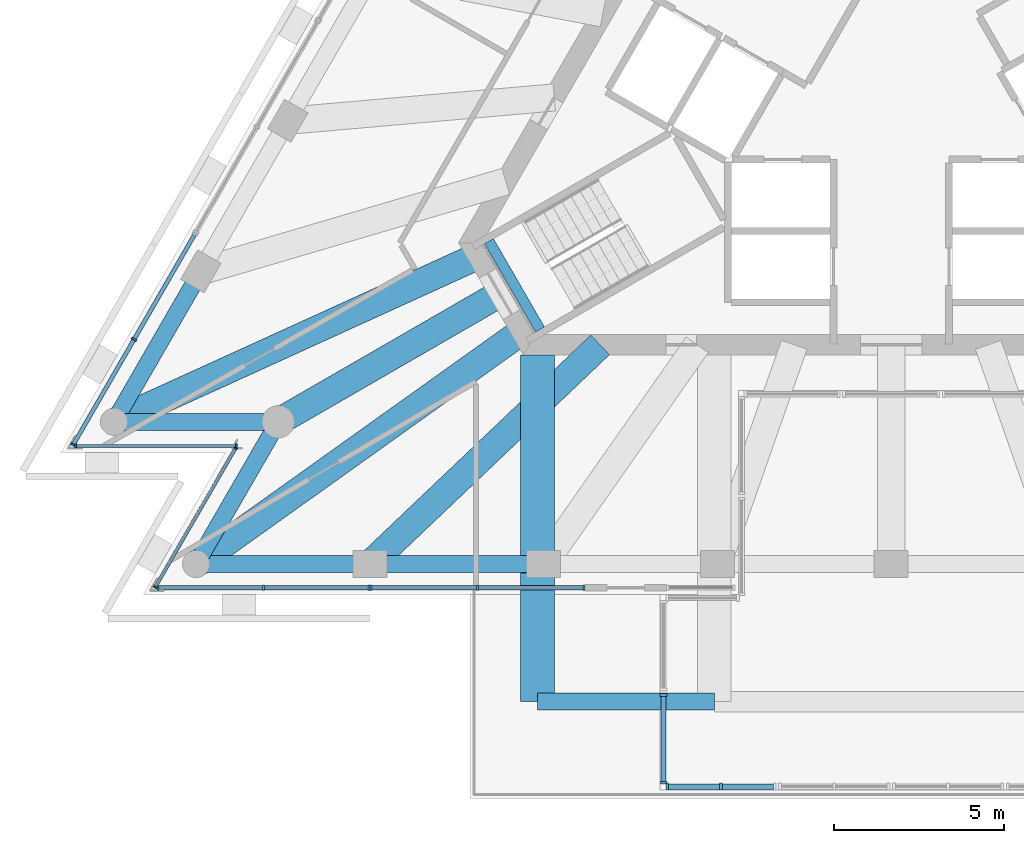
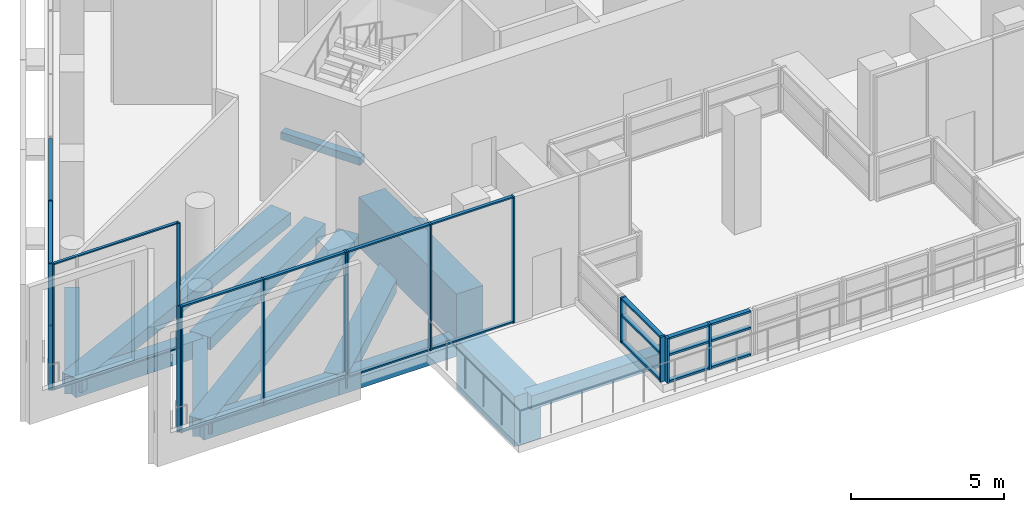
# One storey, part 2 of 17: 41 members, 14 beams, 7 elements without a shape of their own.
"""IFC4 building model written with IfcOpenShell, lengths in metres."""

from ifc_helpers import new_model, si_unit, direction, frame, origin, origin_2d, place, context, subcontext, project, spatial, rectangle, extrude, clip, halfspace, material, layer, layer_set, material_profile, profile_set, type_object, element, aggregate, save


model = new_model("IFC4")

# Units and contexts
model_context = context("Model", 3, precision=1e-05, world=origin(), true_north=direction((0.0, 1.0)))
body_context = subcontext(model_context, "Body", "Model", "MODEL_VIEW")
ifc_project = project(units=[si_unit("LENGTHUNIT", "METRE"), si_unit("AREAUNIT", "SQUARE_METRE"), si_unit("VOLUMEUNIT", "CUBIC_METRE"), si_unit("PLANEANGLEUNIT", "RADIAN"), si_unit("MASSUNIT", "GRAM", prefix="KILO")], contexts=[model_context])

# Site, building, storey
site_placement = place(None, origin())
site = spatial("IfcSite", under=ifc_project, at=site_placement, CompositionType="ELEMENT")
building_placement = place(site_placement, origin())
building = spatial("IfcBuilding", under=site, at=building_placement, Name="Triada Interchange Tower", CompositionType="ELEMENT")
storey_placement = place(building_placement, frame((0.0, 0.0, 322.300048828125)))
storey = spatial("IfcBuildingStorey", under=building, at=storey_placement, Name="L77", CompositionType="ELEMENT", Elevation=322.300048828125)

# Beam
ifc_material_1 = material(Name="Concrete C35/45", Category="concrete")
ifc_material_profile_1 = material_profile(ifc_material_1, rectangle(XDim=0.300048828125, YDim=0.300048828125, at=origin_2d()), Name="RC 300x300")
ifc_profile_set_1 = profile_set([ifc_material_profile_1], Name="Concrete C35/45")
beam_type_1 = type_object("IfcBeamType", Name="Landing support beam RC 300x300", PredefinedType="BEAM", material=ifc_profile_set_1)
beam_1_placement = place(storey_placement, frame((-11.8349609375, -5.10107421875, 2.3212890625), z_axis=(0.50002537861, -0.866010750942, 0.0), x_axis=(0.866010750942, 0.50002537861, 0.0)))
element("IfcBeam", 1, at=beam_1_placement, inside=storey, type_object=beam_type_1, Name="Landing support beam S77-2 1", PredefinedType="BEAM", context=body_context, shape_type="SweptSolid", body=[
    extrude(rectangle(XDim=0.300048828125, YDim=0.300048828125, at=origin_2d()), origin(), (0.0, 0.0, 1.0), 2.999755859375),
])

# Curtain wall, members
ifc_material_2 = material(Name="Aluminium framed glazing", Category="aluminium")
ifc_layer_1 = layer(ifc_material_2, 0.199951171875)
ifc_layer_set_1 = layer_set([ifc_layer_1], Name="Curtain wall Sky lobby glazing")
curtain_wall_type_1 = type_object("IfcCurtainWallType", Name="Curtain wall Sky lobby glazing", PredefinedType="NOTDEFINED", material=ifc_layer_set_1)
curtain_wall_1_placement = place(storey_placement, origin())
curtain_wall_1 = element("IfcCurtainWall", 2, at=curtain_wall_1_placement, inside=storey, type_object=curtain_wall_type_1, Name="Sky lobby glazing CW306 L77", PredefinedType="NOTDEFINED")
ifc_material_3 = material(Name="Aluminium", Category="aluminium")
ifc_material_profile_2 = material_profile(ifc_material_3, rectangle(XDim=0.159912109375, YDim=0.06005859375, at=origin_2d()), Name="Aluminium mullion")
ifc_profile_set_2 = profile_set([ifc_material_profile_2], Name="Aluminium")
member_type_1 = type_object("IfcMemberType", Name="Mullion Sky lobby glazing 160x60", PredefinedType="MULLION", material=ifc_profile_set_2)
member_1_placement = place(storey_placement, frame((-22.280517578125, -7.989501953125, 0.0), z_axis=(0.0, 0.0, 1.0), x_axis=(0.866026395584, -0.49999828215, 0.0)))
member_1 = element("IfcMember", 3, at=member_1_placement, type_object=member_type_1, Name="CW306 mullion 2", PredefinedType="MULLION", context=body_context, shape_type="SweptSolid", body=[
    extrude(rectangle(XDim=0.159912109375, YDim=0.06005859375, at=origin_2d()), origin(), (0.0, 0.0, 1.0), 5.050048828125),
])
member_2_placement = place(storey_placement, frame((-24.070068359375, -11.089111328125, 0.0), z_axis=(0.0, 0.0, 1.0), x_axis=(0.866026395584, -0.49999828215, 0.0)))
member_2 = element("IfcMember", 4, at=member_2_placement, type_object=member_type_1, Name="CW306 mullion 3", PredefinedType="MULLION", context=body_context, shape_type="SweptSolid", body=[
    extrude(rectangle(XDim=0.159912109375, YDim=0.06005859375, at=origin_2d()), origin(), (0.0, 0.0, 1.0), 5.050048828125),
])

curtain_wall_2_placement = place(storey_placement, origin())
curtain_wall_2 = element("IfcCurtainWall", 5, at=curtain_wall_2_placement, inside=storey, type_object=curtain_wall_type_1, Name="Sky lobby glazing CW309 L77", PredefinedType="NOTDEFINED")
member_3_placement = place(storey_placement, frame((-21.577880859375, -15.300048828125, 0.0), z_axis=(0.0, 0.0, 1.0), x_axis=(0.0, 1.0, 0.0)))
member_3 = element("IfcMember", 6, at=member_3_placement, type_object=member_type_1, Name="CW309 mullion 1", PredefinedType="MULLION", context=body_context, shape_type="SweptSolid", body=[
    extrude(rectangle(XDim=0.159912109375, YDim=0.06005859375, at=origin_2d()), origin(), (0.0, 0.0, 1.0), 5.050048828125),
])
member_4_placement = place(storey_placement, frame((-18.47607421875, -15.300048828125, 0.0), z_axis=(0.0, 0.0, 1.0), x_axis=(0.0, 1.0, 0.0)))
member_4 = element("IfcMember", 7, at=member_4_placement, type_object=member_type_1, Name="CW309 mullion 2", PredefinedType="MULLION", context=body_context, shape_type="SweptSolid", body=[
    extrude(rectangle(XDim=0.159912109375, YDim=0.06005859375, at=origin_2d()), origin(), (0.0, 0.0, 1.0), 5.050048828125),
])
member_5_placement = place(storey_placement, frame((-15.3740234375, -15.300048828125, 0.0), z_axis=(0.0, 0.0, 1.0), x_axis=(0.0, 1.0, 0.0)))
member_5 = element("IfcMember", 8, at=member_5_placement, type_object=member_type_1, Name="CW309 mullion 3", PredefinedType="MULLION", context=body_context, shape_type="SweptSolid", body=[
    extrude(rectangle(XDim=0.159912109375, YDim=0.06005859375, at=origin_2d()), origin(), (0.0, 0.0, 1.0), 5.050048828125),
])

curtain_wall_3_placement = place(storey_placement, origin())
curtain_wall_3 = element("IfcCurtainWall", 9, at=curtain_wall_3_placement, inside=storey, type_object=curtain_wall_type_1, Name="Sky lobby glazing CW310 L77", PredefinedType="NOTDEFINED")
member_6_placement = place(storey_placement, frame((-15.303955078125, -15.300048828125, 0.0), z_axis=(0.0, 0.0, 1.0), x_axis=(0.0, 1.0, 0.0)))
member_6 = element("IfcMember", 10, at=member_6_placement, type_object=member_type_1, Name="CW310 mullion 1", PredefinedType="MULLION", context=body_context, shape_type="SweptSolid", body=[
    extrude(rectangle(XDim=0.159912109375, YDim=0.06005859375, at=origin_2d()), origin(), (0.0, 0.0, 1.0), 5.050048828125),
])
member_7_placement = place(storey_placement, frame((-12.172119140625, -15.300048828125, 0.0), z_axis=(0.0, 0.0, 1.0), x_axis=(0.0, 1.0, 0.0)))
member_7 = element("IfcMember", 11, at=member_7_placement, type_object=member_type_1, Name="CW310 mullion 2", PredefinedType="MULLION", context=body_context, shape_type="SweptSolid", body=[
    extrude(rectangle(XDim=0.159912109375, YDim=0.06005859375, at=origin_2d()), origin(), (0.0, 0.0, 1.0), 5.050048828125),
])
member_8_placement = place(storey_placement, frame((-9.0400390625, -15.300048828125, 0.0), z_axis=(0.0, 0.0, 1.0), x_axis=(0.0, 1.0, 0.0)))
member_8 = element("IfcMember", 12, at=member_8_placement, type_object=member_type_1, Name="CW310 mullion 3", PredefinedType="MULLION", context=body_context, shape_type="SweptSolid", body=[
    extrude(rectangle(XDim=0.159912109375, YDim=0.06005859375, at=origin_2d()), origin(), (0.0, 0.0, 1.0), 5.050048828125),
])

ifc_layer_2 = layer(ifc_material_2, 0.199951171875)
ifc_layer_set_2 = layer_set([ifc_layer_2], Name="Curtain wall Sky pool enclosure")
curtain_wall_type_2 = type_object("IfcCurtainWallType", Name="Curtain wall Sky pool enclosure", PredefinedType="NOTDEFINED", material=ifc_layer_set_2)
curtain_wall_4_placement = place(storey_placement, origin())
curtain_wall_4 = element("IfcCurtainWall", 13, at=curtain_wall_4_placement, inside=storey, type_object=curtain_wall_type_2, Name="Sky pool enclosure CW910 L77", PredefinedType="NOTDEFINED")
ifc_material_profile_3 = material_profile(ifc_material_3, rectangle(XDim=0.199951171875, YDim=0.080078125, at=origin_2d()), Name="Aluminium mullion")
ifc_profile_set_3 = profile_set([ifc_material_profile_3], Name="Aluminium")
member_type_2 = type_object("IfcMemberType", Name="Mullion Sky pool enclosure 200x80", PredefinedType="MULLION", material=ifc_profile_set_3)
member_9_placement = place(storey_placement, frame((-6.699951171875, -18.455078125, 0.300048828125), z_axis=(0.0, 0.0, 1.0), x_axis=(1.0, 0.0, 0.0)))
member_9 = element("IfcMember", 14, at=member_9_placement, type_object=member_type_2, Name="CW910 mullion 1", PredefinedType="MULLION", context=body_context, shape_type="SweptSolid", body=[
    extrude(rectangle(XDim=0.199951171875, YDim=0.080078125, at=origin_2d()), origin(), (0.0, 0.0, 1.0), 1.7998046875),
])
member_10_placement = place(storey_placement, frame((-6.699951171875, -21.0400390625, 0.300048828125), z_axis=(0.0, 0.0, 1.0), x_axis=(1.0, 0.0, 0.0)))
member_10 = element("IfcMember", 15, at=member_10_placement, type_object=member_type_2, Name="CW910 mullion 2", PredefinedType="MULLION", context=body_context, shape_type="SweptSolid", body=[
    extrude(rectangle(XDim=0.199951171875, YDim=0.080078125, at=origin_2d()), origin(), (0.0, 0.0, 1.0), 1.7998046875),
])

curtain_wall_5_placement = place(storey_placement, origin())
curtain_wall_5 = element("IfcCurtainWall", 16, at=curtain_wall_5_placement, inside=storey, type_object=curtain_wall_type_2, Name="Sky pool enclosure CW911 L77", PredefinedType="NOTDEFINED")
member_11_placement = place(storey_placement, frame((-6.590087890625, -21.14990234375, 0.300048828125), z_axis=(0.0, 0.0, 1.0), x_axis=(0.0, 1.0, 0.0)))
member_11 = element("IfcMember", 17, at=member_11_placement, type_object=member_type_2, Name="CW911 mullion 1", PredefinedType="MULLION", context=body_context, shape_type="SweptSolid", body=[
    extrude(rectangle(XDim=0.199951171875, YDim=0.080078125, at=origin_2d()), origin(), (0.0, 0.0, 1.0), 1.7998046875),
])
member_12_placement = place(storey_placement, frame((-5.010009765625, -21.14990234375, 0.300048828125), z_axis=(0.0, 0.0, 1.0), x_axis=(0.0, 1.0, 0.0)))
member_12 = element("IfcMember", 18, at=member_12_placement, type_object=member_type_2, Name="CW911 mullion 2", PredefinedType="MULLION", context=body_context, shape_type="SweptSolid", body=[
    extrude(rectangle(XDim=0.199951171875, YDim=0.080078125, at=origin_2d()), origin(), (0.0, 0.0, 1.0), 1.7998046875),
])

ifc_layer_3 = layer(ifc_material_2, 0.199951171875)
ifc_layer_set_3 = layer_set([ifc_layer_3], Name="Curtain wall Winter garden glazing")
curtain_wall_type_3 = type_object("IfcCurtainWallType", Name="Curtain wall Winter garden glazing", PredefinedType="NOTDEFINED", material=ifc_layer_set_3)
curtain_wall_6_placement = place(storey_placement, origin())
curtain_wall_6 = element("IfcCurtainWall", 19, at=curtain_wall_6_placement, inside=storey, type_object=curtain_wall_type_3, Name="Winter garden glazing CW307 L77", PredefinedType="NOTDEFINED")
ifc_material_profile_4 = material_profile(ifc_material_3, rectangle(XDim=0.1201171875, YDim=0.050048828125, at=origin_2d()), Name="Aluminium mullion")
ifc_profile_set_4 = profile_set([ifc_material_profile_4], Name="Aluminium")
member_type_3 = type_object("IfcMemberType", Name="Mullion Winter garden glazing 120x50", PredefinedType="MULLION", material=ifc_profile_set_4)
member_13_placement = place(storey_placement, frame((-24.0, -11.114990234375, 0.0), z_axis=(0.0, 0.0, 1.0), x_axis=(0.0, 1.0, 0.0)))
member_13 = element("IfcMember", 20, at=member_13_placement, type_object=member_type_3, Name="CW307 mullion 1", PredefinedType="MULLION", context=body_context, shape_type="SweptSolid", body=[
    extrude(rectangle(XDim=0.1201171875, YDim=0.050048828125, at=origin_2d()), origin(), (0.0, 0.0, 1.0), 5.050048828125),
])
member_14_placement = place(storey_placement, frame((-19.277099609375, -11.114990234375, 0.0), z_axis=(0.0, 0.0, 1.0), x_axis=(0.0, 1.0, 0.0)))
member_14 = element("IfcMember", 21, at=member_14_placement, type_object=member_type_3, Name="CW307 mullion 2", PredefinedType="MULLION", context=body_context, shape_type="SweptSolid", body=[
    extrude(rectangle(XDim=0.1201171875, YDim=0.050048828125, at=origin_2d()), origin(), (0.0, 0.0, 1.0), 5.050048828125),
])

curtain_wall_7_placement = place(storey_placement, origin())
curtain_wall_7 = element("IfcCurtainWall", 22, at=curtain_wall_7_placement, inside=storey, type_object=curtain_wall_type_3, Name="Winter garden glazing CW308 L77", PredefinedType="NOTDEFINED")
member_15_placement = place(storey_placement, frame((-19.29443359375, -11.188720703125, 0.0), z_axis=(0.0, 0.0, 1.0), x_axis=(0.866042521562, -0.499970349967, 0.0)))
member_15 = element("IfcMember", 23, at=member_15_placement, type_object=member_type_3, Name="CW308 mullion 1", PredefinedType="MULLION", context=body_context, shape_type="SweptSolid", body=[
    extrude(rectangle(XDim=0.1201171875, YDim=0.050048828125, at=origin_2d()), origin(), (0.0, 0.0, 1.0), 5.050048828125),
])
member_16_placement = place(storey_placement, frame((-21.655517578125, -15.2783203125, 0.0), z_axis=(0.0, 0.0, 1.0), x_axis=(0.866042521562, -0.499970349967, 0.0)))
member_16 = element("IfcMember", 24, at=member_16_placement, type_object=member_type_3, Name="CW308 mullion 2", PredefinedType="MULLION", context=body_context, shape_type="SweptSolid", body=[
    extrude(rectangle(XDim=0.1201171875, YDim=0.050048828125, at=origin_2d()), origin(), (0.0, 0.0, 1.0), 5.050048828125),
])

# Beams
ifc_material_4 = material(Name="Concrete C50/60", Category="concrete")
ifc_material_profile_5 = material_profile(ifc_material_4, rectangle(XDim=1.0, YDim=2.0, at=origin_2d()), Name="RC 1000x2000")
ifc_profile_set_5 = profile_set([ifc_material_profile_5], Name="Concrete C50/60")
beam_type_2 = type_object("IfcBeamType", Name="Pool back-span girder RC 1000x2000", PredefinedType="BEAM", material=ifc_profile_set_5)
beam_2_placement = place(storey_placement, frame((-10.4140625, -8.449951171875, 0.5), z_axis=(0.0, -1.0, 0.0), x_axis=(1.0, 0.0, 0.0)))
element("IfcBeam", 25, at=beam_2_placement, inside=storey, type_object=beam_type_2, Name="Pool back-span girder 1", PredefinedType="BEAM", context=body_context, shape_type="SweptSolid", body=[
    extrude(rectangle(XDim=1.0, YDim=2.0, at=origin_2d()), origin(), (0.0, 0.0, 1.0), 6.4130859375),
])
ifc_material_profile_6 = material_profile(ifc_material_4, rectangle(XDim=1.0, YDim=2.0, at=origin_2d()), Name="RC 1000x2000")
ifc_profile_set_6 = profile_set([ifc_material_profile_6], Name="Concrete C50/60")
beam_type_3 = type_object("IfcBeamType", Name="Pool cantilever girder RC 1000x2000", PredefinedType="BEAM", material=ifc_profile_set_6)
beam_3_placement = place(storey_placement, frame((-10.4140625, -14.863037109375, -1.300048828125), z_axis=(0.0, -1.0, 0.0), x_axis=(1.0, 0.0, 0.0)))
element("IfcBeam", 26, at=beam_3_placement, inside=storey, type_object=beam_type_3, Name="Pool girder 1 cantilever", PredefinedType="BEAM", context=body_context, shape_type="SweptSolid", body=[
    extrude(rectangle(XDim=1.0, YDim=2.0, at=origin_2d()), origin(), (0.0, 0.0, 1.0), 3.786865234375),
])
ifc_material_profile_7 = material_profile(ifc_material_4, rectangle(XDim=0.5, YDim=0.550048828125, at=origin_2d()), Name="RC 500x550")
ifc_profile_set_7 = profile_set([ifc_material_profile_7], Name="Concrete C50/60")
beam_type_4 = type_object("IfcBeamType", Name="Pool tip beam RC 500x550", PredefinedType="BEAM", material=ifc_profile_set_7)
beam_4_placement = place(storey_placement, frame((-10.4140625, -18.64990234375, -0.574951171875), z_axis=(1.0, 0.0, 0.0), x_axis=(0.0, 1.0, 0.0)))
element("IfcBeam", 27, at=beam_4_placement, inside=storey, type_object=beam_type_4, Name="Pool tip beam 1", PredefinedType="BEAM", context=body_context, shape_type="SweptSolid", body=[
    extrude(rectangle(XDim=0.5, YDim=0.550048828125, at=origin_2d()), origin(), (0.0, 0.0, 1.0), 5.20703125),
])
ifc_material_profile_8 = material_profile(ifc_material_4, rectangle(XDim=0.800048828125, YDim=0.5, at=origin_2d()), Name="RC 800x500")
ifc_profile_set_8 = profile_set([ifc_material_profile_8], Name="Concrete C50/60")
beam_type_5 = type_object("IfcBeamType", Name="Radial band beam D RC 800x500", PredefinedType="BEAM", material=ifc_profile_set_8)
beam_5_placement = place(storey_placement, frame((-22.8720703125, -10.4150390625, -0.550048828125), z_axis=(0.910085686319, 0.414420129285, 0.0), x_axis=(-0.414420129285, 0.910085686319, 0.0)))
element("IfcBeam", 28, at=beam_5_placement, inside=storey, type_object=beam_type_5, Name="Radial band beam BD09 L77", PredefinedType="BEAM", context=body_context, shape_type="SweptSolid", body=[
    extrude(rectangle(XDim=0.800048828125, YDim=0.5, at=origin_2d()), origin(), (0.0, 0.0, 1.0), 11.7705078125),
])
beam_6_placement = place(storey_placement, frame((-18.0390625, -10.4150390625, -0.550048828125), z_axis=(0.866011724671, 0.500023692171, 0.0), x_axis=(-0.500023692171, 0.866011724671, 0.0)))
element("IfcBeam", 29, at=beam_6_placement, inside=storey, type_object=beam_type_5, Name="Radial band beam BD10 L77", PredefinedType="BEAM", context=body_context, shape_type="SweptSolid", body=[
    extrude(rectangle(XDim=0.800048828125, YDim=0.5, at=origin_2d()), origin(), (0.0, 0.0, 1.0), 7.530029296875),
])
beam_7_placement = place(storey_placement, frame((-20.455078125, -14.60009765625, -0.550048828125), z_axis=(0.813936662857, 0.580953620229, 0.0), x_axis=(-0.580953620229, 0.813936662857, 0.0)))
element("IfcBeam", 30, at=beam_7_placement, inside=storey, type_object=beam_type_5, Name="Radial band beam BD11 L77", PredefinedType="BEAM", context=body_context, shape_type="SweptSolid", body=[
    extrude(rectangle(XDim=0.800048828125, YDim=0.5, at=origin_2d()), origin(), (0.0, 0.0, 1.0), 11.768798828125),
])
beam_8_placement = place(storey_placement, frame((-15.341064453125, -14.60009765625, -0.550048828125), z_axis=(0.72436975157, 0.689411678905, 0.0), x_axis=(-0.689411678905, 0.72436975157, 0.0)))
element("IfcBeam", 31, at=beam_8_placement, inside=storey, type_object=beam_type_5, Name="Radial band beam BD12A L77", PredefinedType="BEAM", context=body_context, shape_type="Clipping", body=[
    clip(extrude(rectangle(XDim=0.800048828125, YDim=0.5, at=origin_2d()), origin(), (0.0, 0.0, 1.0), 7.6123046875), halfspace(frame((1.40283203125, -321.75, 7.44677734375), z_axis=(-0.689411678905, 0.0, 0.72436975157), x_axis=(0.0, 1.0, 0.0)), False)),
])
beam_9_placement = place(storey_placement, frame((-11.0009765625, -10.468994140625, -0.550048828125), z_axis=(0.724415734918, 0.689363360648, 0.0), x_axis=(-0.689363360648, 0.724415734918, 0.0)))
element("IfcBeam", 32, at=beam_9_placement, inside=storey, type_object=beam_type_5, Name="Radial band beam BD12B L77", PredefinedType="BEAM", context=body_context, shape_type="Clipping", body=[
    clip(extrude(rectangle(XDim=0.800048828125, YDim=0.5, at=origin_2d()), origin(), (0.0, 0.0, 1.0), 3.364013671875), halfspace(frame((-3.932373046875, -321.75, -2.24169921875), z_axis=(0.689363360648, 0.0, -0.724415734918), x_axis=(0.0, -1.0, 0.0)), False)),
])
ifc_material_profile_9 = material_profile(ifc_material_4, rectangle(XDim=0.5, YDim=0.699951171875, at=origin_2d()), Name="RC 500x700")
ifc_profile_set_9 = profile_set([ifc_material_profile_9], Name="Concrete C50/60")
beam_type_6 = type_object("IfcBeamType", Name="Spandrel beam D RC 500x700", PredefinedType="BEAM", material=ifc_profile_set_9)
beam_10_placement = place(storey_placement, frame((-20.31494140625, -5.986083984375, -0.650146484375), z_axis=(-0.500010338873, -0.866019434551, 0.0), x_axis=(0.866019434551, -0.500010338873, 0.0)))
element("IfcBeam", 33, at=beam_10_placement, inside=storey, type_object=beam_type_6, Name="Spandrel beam ED08 L77", PredefinedType="BEAM", context=body_context, shape_type="SweptSolid", body=[
    extrude(rectangle(XDim=0.5, YDim=0.699951171875, at=origin_2d()), origin(), (0.0, 0.0, 1.0), 5.1142578125),
])
beam_11_placement = place(storey_placement, frame((-22.8720703125, -10.4150390625, -0.650146484375), z_axis=(1.0, 0.0, 0.0), x_axis=(0.0, 1.0, 0.0)))
element("IfcBeam", 34, at=beam_11_placement, inside=storey, type_object=beam_type_6, Name="Spandrel beam ED09 L77", PredefinedType="BEAM", context=body_context, shape_type="SweptSolid", body=[
    extrude(rectangle(XDim=0.5, YDim=0.699951171875, at=origin_2d()), origin(), (0.0, 0.0, 1.0), 4.8330078125),
])
beam_12_placement = place(storey_placement, frame((-18.0390625, -10.4150390625, -0.650146484375), z_axis=(-0.499964445527, -0.866045930196, 0.0), x_axis=(0.866045930196, -0.499964445527, 0.0)))
element("IfcBeam", 35, at=beam_12_placement, inside=storey, type_object=beam_type_6, Name="Spandrel beam ED10 L77", PredefinedType="BEAM", context=body_context, shape_type="SweptSolid", body=[
    extrude(rectangle(XDim=0.5, YDim=0.699951171875, at=origin_2d()), origin(), (0.0, 0.0, 1.0), 4.832275390625),
])
beam_13_placement = place(storey_placement, frame((-20.455078125, -14.60009765625, -0.650146484375), z_axis=(1.0, 0.0, 0.0), x_axis=(0.0, 1.0, 0.0)))
element("IfcBeam", 36, at=beam_13_placement, inside=storey, type_object=beam_type_6, Name="Spandrel beam ED11 L77", PredefinedType="BEAM", context=body_context, shape_type="SweptSolid", body=[
    extrude(rectangle(XDim=0.5, YDim=0.699951171875, at=origin_2d()), origin(), (0.0, 0.0, 1.0), 5.114013671875),
])
beam_14_placement = place(storey_placement, frame((-15.341064453125, -14.60009765625, -0.650146484375), z_axis=(1.0, 0.0, 0.0), x_axis=(0.0, 1.0, 0.0)))
element("IfcBeam", 37, at=beam_14_placement, inside=storey, type_object=beam_type_6, Name="Spandrel beam ED12 L77", PredefinedType="BEAM", context=body_context, shape_type="SweptSolid", body=[
    extrude(rectangle(XDim=0.5, YDim=0.699951171875, at=origin_2d()), origin(), (0.0, 0.0, 1.0), 5.113037109375),
])

# Member
ifc_material_profile_10 = material_profile(ifc_material_3, rectangle(XDim=0.1201171875, YDim=0.06005859375, at=origin_2d()), Name="Aluminium transom")
ifc_profile_set_10 = profile_set([ifc_material_profile_10], Name="Aluminium")
member_type_4 = type_object("IfcMemberType", Name="Transom Sky lobby glazing 120x60", PredefinedType="USERDEFINED", material=ifc_profile_set_10)
member_17_placement = place(storey_placement, frame((-20.506103515625, -4.916015625, 0.030029296875), z_axis=(-0.499944665268, -0.86605734895, 0.0), x_axis=(0.86605734895, -0.499944665268, 0.0)))
member_17 = element("IfcMember", 38, at=member_17_placement, type_object=member_type_4, Name="CW306 transom 1.1", ObjectType="TRANSOM", PredefinedType="USERDEFINED", context=body_context, shape_type="SweptSolid", body=[
    extrude(rectangle(XDim=0.1201171875, YDim=0.06005859375, at=origin_2d()), origin(), (0.0, 0.0, 1.0), 3.51904296875),
])

member_18_placement = place(storey_placement, frame((-20.506103515625, -4.916015625, 5.02001953125), z_axis=(-0.499944665268, -0.86605734895, 0.0), x_axis=(0.86605734895, -0.499944665268, 0.0)))
member_18 = element("IfcMember", 39, at=member_18_placement, type_object=member_type_4, Name="CW306 transom 1.2", ObjectType="TRANSOM", PredefinedType="USERDEFINED", context=body_context, shape_type="SweptSolid", body=[
    extrude(rectangle(XDim=0.1201171875, YDim=0.06005859375, at=origin_2d()), origin(), (0.0, 0.0, 1.0), 3.51904296875),
])

member_19_placement = place(storey_placement, frame((-22.29541015625, -8.015380859375, 0.030029296875), z_axis=(-0.499996700606, -0.866027308682, 0.0), x_axis=(0.866027308682, -0.499996700606, 0.0)))
member_19 = element("IfcMember", 40, at=member_19_placement, type_object=member_type_4, Name="CW306 transom 2.1", ObjectType="TRANSOM", PredefinedType="USERDEFINED", context=body_context, shape_type="SweptSolid", body=[
    extrude(rectangle(XDim=0.1201171875, YDim=0.06005859375, at=origin_2d()), origin(), (0.0, 0.0, 1.0), 3.51904296875),
])

member_20_placement = place(storey_placement, frame((-22.29541015625, -8.015380859375, 5.02001953125), z_axis=(-0.499996700606, -0.866027308682, 0.0), x_axis=(0.866027308682, -0.499996700606, 0.0)))
member_20 = element("IfcMember", 41, at=member_20_placement, type_object=member_type_4, Name="CW306 transom 2.2", ObjectType="TRANSOM", PredefinedType="USERDEFINED", context=body_context, shape_type="SweptSolid", body=[
    extrude(rectangle(XDim=0.1201171875, YDim=0.06005859375, at=origin_2d()), origin(), (0.0, 0.0, 1.0), 3.51904296875),
])

aggregate(curtain_wall_1, [member_1, member_2, member_17, member_18, member_19, member_20])

member_21_placement = place(storey_placement, frame((-21.548095703125, -15.300048828125, 0.030029296875), z_axis=(1.0, 0.0, 0.0), x_axis=(0.0, 1.0, 0.0)))
member_21 = element("IfcMember", 42, at=member_21_placement, type_object=member_type_4, Name="CW309 transom 1.1", ObjectType="TRANSOM", PredefinedType="USERDEFINED", context=body_context, shape_type="SweptSolid", body=[
    extrude(rectangle(XDim=0.1201171875, YDim=0.06005859375, at=origin_2d()), origin(), (0.0, 0.0, 1.0), 3.0419921875),
])

member_22_placement = place(storey_placement, frame((-21.548095703125, -15.300048828125, 5.02001953125), z_axis=(1.0, 0.0, 0.0), x_axis=(0.0, 1.0, 0.0)))
member_22 = element("IfcMember", 43, at=member_22_placement, type_object=member_type_4, Name="CW309 transom 1.2", ObjectType="TRANSOM", PredefinedType="USERDEFINED", context=body_context, shape_type="SweptSolid", body=[
    extrude(rectangle(XDim=0.1201171875, YDim=0.06005859375, at=origin_2d()), origin(), (0.0, 0.0, 1.0), 3.0419921875),
])

member_23_placement = place(storey_placement, frame((-18.446044921875, -15.300048828125, 0.030029296875), z_axis=(1.0, 0.0, 0.0), x_axis=(0.0, 1.0, 0.0)))
member_23 = element("IfcMember", 44, at=member_23_placement, type_object=member_type_4, Name="CW309 transom 2.1", ObjectType="TRANSOM", PredefinedType="USERDEFINED", context=body_context, shape_type="SweptSolid", body=[
    extrude(rectangle(XDim=0.1201171875, YDim=0.06005859375, at=origin_2d()), origin(), (0.0, 0.0, 1.0), 3.0419921875),
])

member_24_placement = place(storey_placement, frame((-18.446044921875, -15.300048828125, 5.02001953125), z_axis=(1.0, 0.0, 0.0), x_axis=(0.0, 1.0, 0.0)))
member_24 = element("IfcMember", 45, at=member_24_placement, type_object=member_type_4, Name="CW309 transom 2.2", ObjectType="TRANSOM", PredefinedType="USERDEFINED", context=body_context, shape_type="SweptSolid", body=[
    extrude(rectangle(XDim=0.1201171875, YDim=0.06005859375, at=origin_2d()), origin(), (0.0, 0.0, 1.0), 3.0419921875),
])

aggregate(curtain_wall_2, [member_3, member_4, member_5, member_21, member_22, member_23, member_24])

member_25_placement = place(storey_placement, frame((-15.27392578125, -15.300048828125, 0.030029296875), z_axis=(1.0, 0.0, 0.0), x_axis=(0.0, 1.0, 0.0)))
member_25 = element("IfcMember", 46, at=member_25_placement, type_object=member_type_4, Name="CW310 transom 1.1", ObjectType="TRANSOM", PredefinedType="USERDEFINED", context=body_context, shape_type="SweptSolid", body=[
    extrude(rectangle(XDim=0.1201171875, YDim=0.06005859375, at=origin_2d()), origin(), (0.0, 0.0, 1.0), 3.072021484375),
])

member_26_placement = place(storey_placement, frame((-15.27392578125, -15.300048828125, 5.02001953125), z_axis=(1.0, 0.0, 0.0), x_axis=(0.0, 1.0, 0.0)))
member_26 = element("IfcMember", 47, at=member_26_placement, type_object=member_type_4, Name="CW310 transom 1.2", ObjectType="TRANSOM", PredefinedType="USERDEFINED", context=body_context, shape_type="SweptSolid", body=[
    extrude(rectangle(XDim=0.1201171875, YDim=0.06005859375, at=origin_2d()), origin(), (0.0, 0.0, 1.0), 3.072021484375),
])

member_27_placement = place(storey_placement, frame((-12.14208984375, -15.300048828125, 0.030029296875), z_axis=(1.0, 0.0, 0.0), x_axis=(0.0, 1.0, 0.0)))
member_27 = element("IfcMember", 48, at=member_27_placement, type_object=member_type_4, Name="CW310 transom 2.1", ObjectType="TRANSOM", PredefinedType="USERDEFINED", context=body_context, shape_type="SweptSolid", body=[
    extrude(rectangle(XDim=0.1201171875, YDim=0.06005859375, at=origin_2d()), origin(), (0.0, 0.0, 1.0), 3.072021484375),
])

member_28_placement = place(storey_placement, frame((-12.14208984375, -15.300048828125, 5.02001953125), z_axis=(1.0, 0.0, 0.0), x_axis=(0.0, 1.0, 0.0)))
member_28 = element("IfcMember", 49, at=member_28_placement, type_object=member_type_4, Name="CW310 transom 2.2", ObjectType="TRANSOM", PredefinedType="USERDEFINED", context=body_context, shape_type="SweptSolid", body=[
    extrude(rectangle(XDim=0.1201171875, YDim=0.06005859375, at=origin_2d()), origin(), (0.0, 0.0, 1.0), 3.072021484375),
])

aggregate(curtain_wall_3, [member_6, member_7, member_8, member_25, member_26, member_27, member_28])

ifc_material_profile_11 = material_profile(ifc_material_3, rectangle(XDim=0.159912109375, YDim=0.080078125, at=origin_2d()), Name="Aluminium transom")
ifc_profile_set_11 = profile_set([ifc_material_profile_11], Name="Aluminium")
member_type_5 = type_object("IfcMemberType", Name="Transom Sky pool enclosure 160x80", PredefinedType="USERDEFINED", material=ifc_profile_set_11)
member_29_placement = place(storey_placement, frame((-6.699951171875, -18.4951171875, 0.33984375), z_axis=(0.0, -1.0, 0.0), x_axis=(1.0, 0.0, 0.0)))
member_29 = element("IfcMember", 50, at=member_29_placement, type_object=member_type_5, Name="CW910 transom 1.1", ObjectType="TRANSOM", PredefinedType="USERDEFINED", context=body_context, shape_type="SweptSolid", body=[
    extrude(rectangle(XDim=0.159912109375, YDim=0.080078125, at=origin_2d()), origin(), (0.0, 0.0, 1.0), 2.5048828125),
])

member_30_placement = place(storey_placement, frame((-6.699951171875, -18.4951171875, 1.39990234375), z_axis=(0.0, -1.0, 0.0), x_axis=(1.0, 0.0, 0.0)))
member_30 = element("IfcMember", 51, at=member_30_placement, type_object=member_type_5, Name="CW910 transom 1.2", ObjectType="TRANSOM", PredefinedType="USERDEFINED", context=body_context, shape_type="SweptSolid", body=[
    extrude(rectangle(XDim=0.159912109375, YDim=0.080078125, at=origin_2d()), origin(), (0.0, 0.0, 1.0), 2.5048828125),
])

member_31_placement = place(storey_placement, frame((-6.699951171875, -18.4951171875, 2.06005859375), z_axis=(0.0, -1.0, 0.0), x_axis=(1.0, 0.0, 0.0)))
member_31 = element("IfcMember", 52, at=member_31_placement, type_object=member_type_5, Name="CW910 transom 1.3", ObjectType="TRANSOM", PredefinedType="USERDEFINED", context=body_context, shape_type="SweptSolid", body=[
    extrude(rectangle(XDim=0.159912109375, YDim=0.080078125, at=origin_2d()), origin(), (0.0, 0.0, 1.0), 2.5048828125),
])

aggregate(curtain_wall_4, [member_9, member_10, member_29, member_30, member_31])

member_32_placement = place(storey_placement, frame((-6.550048828125, -21.14990234375, 0.33984375), z_axis=(1.0, 0.0, 0.0), x_axis=(0.0, 1.0, 0.0)))
member_32 = element("IfcMember", 53, at=member_32_placement, type_object=member_type_5, Name="CW911 transom 1.1", ObjectType="TRANSOM", PredefinedType="USERDEFINED", context=body_context, shape_type="SweptSolid", body=[
    extrude(rectangle(XDim=0.159912109375, YDim=0.080078125, at=origin_2d()), origin(), (0.0, 0.0, 1.0), 1.5),
])

member_33_placement = place(storey_placement, frame((-6.550048828125, -21.14990234375, 1.39990234375), z_axis=(1.0, 0.0, 0.0), x_axis=(0.0, 1.0, 0.0)))
member_33 = element("IfcMember", 54, at=member_33_placement, type_object=member_type_5, Name="CW911 transom 1.2", ObjectType="TRANSOM", PredefinedType="USERDEFINED", context=body_context, shape_type="SweptSolid", body=[
    extrude(rectangle(XDim=0.159912109375, YDim=0.080078125, at=origin_2d()), origin(), (0.0, 0.0, 1.0), 1.5),
])

member_34_placement = place(storey_placement, frame((-6.550048828125, -21.14990234375, 2.06005859375), z_axis=(1.0, 0.0, 0.0), x_axis=(0.0, 1.0, 0.0)))
member_34 = element("IfcMember", 55, at=member_34_placement, type_object=member_type_5, Name="CW911 transom 1.3", ObjectType="TRANSOM", PredefinedType="USERDEFINED", context=body_context, shape_type="SweptSolid", body=[
    extrude(rectangle(XDim=0.159912109375, YDim=0.080078125, at=origin_2d()), origin(), (0.0, 0.0, 1.0), 1.5),
])

member_35_placement = place(storey_placement, frame((-4.969970703125, -21.14990234375, 0.33984375), z_axis=(1.0, 0.0, 0.0), x_axis=(0.0, 1.0, 0.0)))
member_35 = element("IfcMember", 56, at=member_35_placement, type_object=member_type_5, Name="CW911 transom 2.1", ObjectType="TRANSOM", PredefinedType="USERDEFINED", context=body_context, shape_type="SweptSolid", body=[
    extrude(rectangle(XDim=0.159912109375, YDim=0.080078125, at=origin_2d()), origin(), (0.0, 0.0, 1.0), 1.5),
])

member_36_placement = place(storey_placement, frame((-4.969970703125, -21.14990234375, 1.39990234375), z_axis=(1.0, 0.0, 0.0), x_axis=(0.0, 1.0, 0.0)))
member_36 = element("IfcMember", 57, at=member_36_placement, type_object=member_type_5, Name="CW911 transom 2.2", ObjectType="TRANSOM", PredefinedType="USERDEFINED", context=body_context, shape_type="SweptSolid", body=[
    extrude(rectangle(XDim=0.159912109375, YDim=0.080078125, at=origin_2d()), origin(), (0.0, 0.0, 1.0), 1.5),
])

member_37_placement = place(storey_placement, frame((-4.969970703125, -21.14990234375, 2.06005859375), z_axis=(1.0, 0.0, 0.0), x_axis=(0.0, 1.0, 0.0)))
member_37 = element("IfcMember", 58, at=member_37_placement, type_object=member_type_5, Name="CW911 transom 2.3", ObjectType="TRANSOM", PredefinedType="USERDEFINED", context=body_context, shape_type="SweptSolid", body=[
    extrude(rectangle(XDim=0.159912109375, YDim=0.080078125, at=origin_2d()), origin(), (0.0, 0.0, 1.0), 1.5),
])

aggregate(curtain_wall_5, [member_11, member_12, member_32, member_33, member_34, member_35, member_36, member_37])

ifc_material_profile_12 = material_profile(ifc_material_3, rectangle(XDim=0.10009765625, YDim=0.050048828125, at=origin_2d()), Name="Aluminium transom")
ifc_profile_set_12 = profile_set([ifc_material_profile_12], Name="Aluminium")
member_type_6 = type_object("IfcMemberType", Name="Transom Winter garden glazing 100x50", PredefinedType="USERDEFINED", material=ifc_profile_set_12)
member_38_placement = place(storey_placement, frame((-23.97509765625, -11.114990234375, 0.02490234375), z_axis=(1.0, 0.0, 0.0), x_axis=(0.0, 1.0, 0.0)))
member_38 = element("IfcMember", 59, at=member_38_placement, type_object=member_type_6, Name="CW307 transom 1.1", ObjectType="TRANSOM", PredefinedType="USERDEFINED", context=body_context, shape_type="SweptSolid", body=[
    extrude(rectangle(XDim=0.10009765625, YDim=0.050048828125, at=origin_2d()), origin(), (0.0, 0.0, 1.0), 4.673095703125),
])

member_39_placement = place(storey_placement, frame((-23.97509765625, -11.114990234375, 5.02490234375), z_axis=(1.0, 0.0, 0.0), x_axis=(0.0, 1.0, 0.0)))
member_39 = element("IfcMember", 60, at=member_39_placement, type_object=member_type_6, Name="CW307 transom 1.2", ObjectType="TRANSOM", PredefinedType="USERDEFINED", context=body_context, shape_type="SweptSolid", body=[
    extrude(rectangle(XDim=0.10009765625, YDim=0.050048828125, at=origin_2d()), origin(), (0.0, 0.0, 1.0), 4.673095703125),
])

aggregate(curtain_wall_6, [member_13, member_14, member_38, member_39])

member_40_placement = place(storey_placement, frame((-19.306884765625, -11.210205078125, 0.02490234375), z_axis=(-0.499999868264, -0.866025479842, 0.0), x_axis=(0.866025479842, -0.499999868264, 0.0)))
member_40 = element("IfcMember", 61, at=member_40_placement, type_object=member_type_6, Name="CW308 transom 1.1", ObjectType="TRANSOM", PredefinedType="USERDEFINED", context=body_context, shape_type="SweptSolid", body=[
    extrude(rectangle(XDim=0.10009765625, YDim=0.050048828125, at=origin_2d()), origin(), (0.0, 0.0, 1.0), 4.67236328125),
])

member_41_placement = place(storey_placement, frame((-19.306884765625, -11.210205078125, 5.02490234375), z_axis=(-0.499999868264, -0.866025479842, 0.0), x_axis=(0.866025479842, -0.499999868264, 0.0)))
member_41 = element("IfcMember", 62, at=member_41_placement, type_object=member_type_6, Name="CW308 transom 1.2", ObjectType="TRANSOM", PredefinedType="USERDEFINED", context=body_context, shape_type="SweptSolid", body=[
    extrude(rectangle(XDim=0.10009765625, YDim=0.050048828125, at=origin_2d()), origin(), (0.0, 0.0, 1.0), 4.67236328125),
])

aggregate(curtain_wall_7, [member_15, member_16, member_40, member_41])

save(model, "model.ifc")
